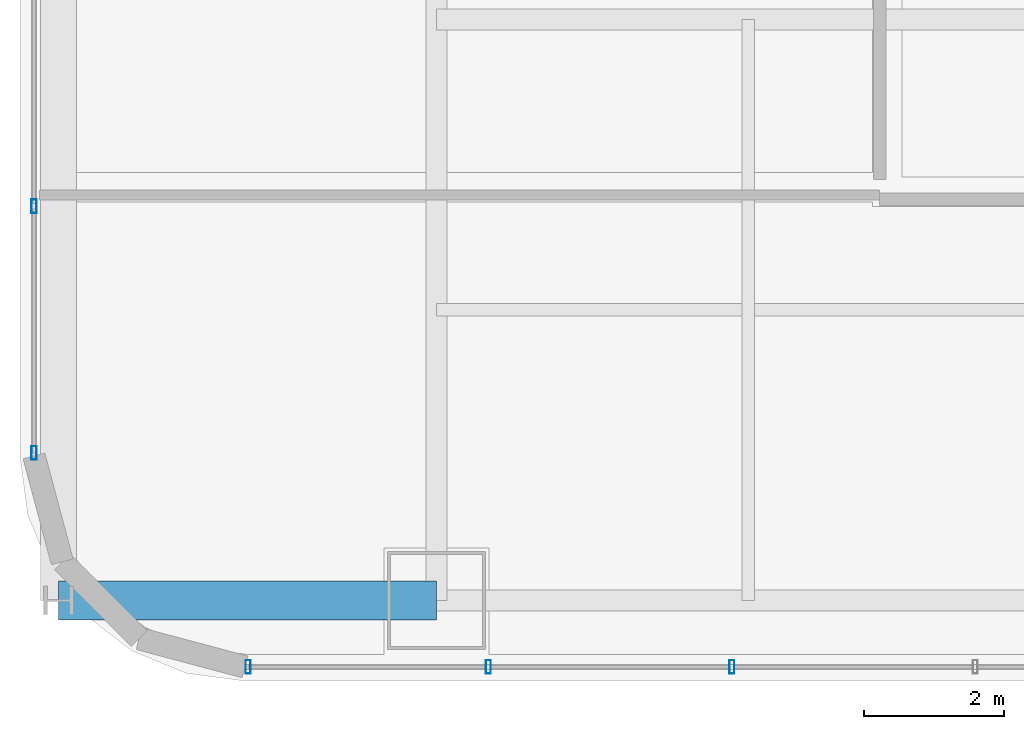
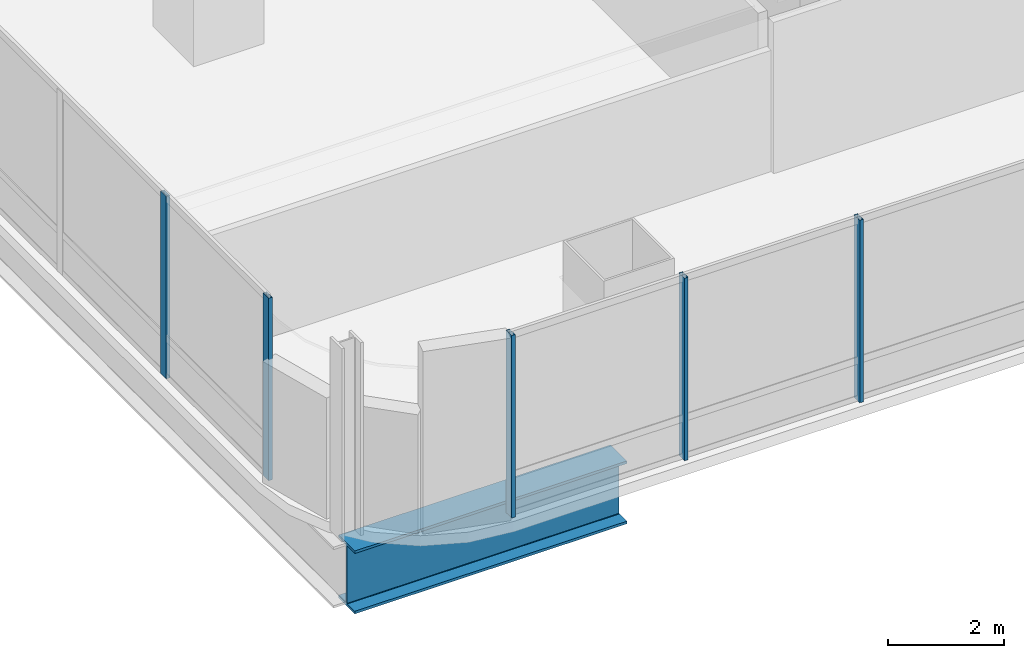
# One storey, part 2 of 38: 5 members, 1 beam, 2 elements without a shape of their own.
"""IFC4 building model written with IfcOpenShell, lengths in metres."""

from ifc_helpers import new_model, si_unit, direction, frame, origin, origin_2d, place, context, subcontext, project, spatial, hollow_rectangle, i_section, extrude, material, material_profile, profile_set, type_object, element, aggregate, save


model = new_model("IFC4")

# Units and contexts
model_context = context("Model", 3, precision=1e-05, world=origin(), true_north=direction((0.0, 1.0)))
body_context = subcontext(model_context, "Body", "Model", "MODEL_VIEW")
ifc_project = project(units=[si_unit("LENGTHUNIT", "METRE"), si_unit("AREAUNIT", "SQUARE_METRE"), si_unit("VOLUMEUNIT", "CUBIC_METRE"), si_unit("PLANEANGLEUNIT", "RADIAN"), si_unit("MASSUNIT", "GRAM", prefix="KILO")], contexts=[model_context])

# Site, building, storey
site_placement = place(None, origin())
site = spatial("IfcSite", under=ifc_project, at=site_placement, CompositionType="ELEMENT")
building_placement = place(site_placement, origin())
building = spatial("IfcBuilding", under=site, at=building_placement, Name="Punatoya Terracotta Tower", CompositionType="ELEMENT")
storey_placement = place(building_placement, frame((0.0, 0.0, 156.0)))
storey = spatial("IfcBuildingStorey", under=building, at=storey_placement, Name="L36", CompositionType="ELEMENT", Elevation=156.0)

# Beam
ifc_material_1 = material(Name="Steel S460", Category="steel")
ifc_material_profile_1 = material_profile(ifc_material_1, i_section(OverallWidth=0.56005859375, OverallDepth=1.320068359375, WebThickness=0.035888671875, FlangeThickness=0.054931640625, FilletRadius=0.01806640625, at=origin_2d()))
ifc_profile_set_1 = profile_set([ifc_material_profile_1], Name="Steel S460")
beam_type = type_object("IfcBeamType", Name="BM-TG-BLK", PredefinedType="BEAM", material=ifc_profile_set_1)
beam_placement = place(storey_placement, frame((-24.5, -17.5, -0.8798828125), z_axis=(1.0, 0.0, 0.0), x_axis=(0.0, 1.0, 0.0)))
element("IfcBeam", 1, at=beam_placement, inside=storey, type_object=beam_type, Name="BM-L36-CANT-W1", PredefinedType="BEAM", context=body_context, shape_type="SweptSolid", body=[
    extrude(i_section(OverallWidth=0.56005859375, OverallDepth=1.320068359375, WebThickness=0.035888671875, FlangeThickness=0.054931640625, FilletRadius=0.01806640625, at=origin_2d()), origin(), (0.0, 0.0, 1.0), 5.39990234375),
])

# Curtain wall, members
ifc_material_2 = material(Name="Aluminium 6063-T6 + Double Low-E Glass", Category="aluminium")
curtain_wall_type = type_object("IfcCurtainWallType", Name="CW-M2", PredefinedType="NOTDEFINED", material=ifc_material_2)
curtain_wall_1_placement = place(storey_placement, origin())
curtain_wall_1 = element("IfcCurtainWall", 2, at=curtain_wall_1_placement, inside=storey, type_object=curtain_wall_type, Name="L36 Curtain Wall CW-L36-S01-1", PredefinedType="NOTDEFINED")
ifc_material_3 = material(Name="Aluminium 6063-T6", Category="aluminium")
ifc_material_profile_2 = material_profile(ifc_material_3, hollow_rectangle(XDim=0.072021484375, YDim=0.195068359375, WallThickness=0.00439453125, at=origin_2d()))
ifc_profile_set_2 = profile_set([ifc_material_profile_2], Name="Aluminium 6063-T6")
member_type = type_object("IfcMemberType", Name="CW-MUL-M2", PredefinedType="MULLION", material=ifc_profile_set_2)
member_1_placement = place(storey_placement, frame((-21.7919921875, -18.449951171875, 0.0), z_axis=(0.0, 0.0, 1.0), x_axis=(1.0, 0.0, 0.0)))
member_1 = element("IfcMember", 3, at=member_1_placement, type_object=member_type, Name="CW-L36-S01-1 Mullion 00", PredefinedType="MULLION", context=body_context, shape_type="SweptSolid", body=[
    extrude(hollow_rectangle(XDim=0.072021484375, YDim=0.195068359375, WallThickness=0.00439453125, at=origin_2d()), origin(), (0.0, 0.0, 1.0), 3.830078125),
])
member_2_placement = place(storey_placement, frame((-18.359619140625, -18.449951171875, 0.0), z_axis=(0.0, 0.0, 1.0), x_axis=(1.0, 0.0, 0.0)))
member_2 = element("IfcMember", 4, at=member_2_placement, type_object=member_type, Name="CW-L36-S01-1 Mullion 01", PredefinedType="MULLION", context=body_context, shape_type="SweptSolid", body=[
    extrude(hollow_rectangle(XDim=0.072021484375, YDim=0.195068359375, WallThickness=0.00439453125, at=origin_2d()), origin(), (0.0, 0.0, 1.0), 3.830078125),
])
member_3_placement = place(storey_placement, frame((-14.882080078125, -18.449951171875, 0.0), z_axis=(0.0, 0.0, 1.0), x_axis=(1.0, 0.0, 0.0)))
member_3 = element("IfcMember", 5, at=member_3_placement, type_object=member_type, Name="CW-L36-S01-1 Mullion 02", PredefinedType="MULLION", context=body_context, shape_type="SweptSolid", body=[
    extrude(hollow_rectangle(XDim=0.072021484375, YDim=0.195068359375, WallThickness=0.00439453125, at=origin_2d()), origin(), (0.0, 0.0, 1.0), 3.830078125),
])
aggregate(curtain_wall_1, [member_1, member_2, member_3])

curtain_wall_2_placement = place(storey_placement, origin())
curtain_wall_2 = element("IfcCurtainWall", 6, at=curtain_wall_2_placement, inside=storey, type_object=curtain_wall_type, Name="L36 Curtain Wall CW-L36-W13-1", PredefinedType="NOTDEFINED")
member_4_placement = place(storey_placement, frame((-24.85009765625, -11.869384765625, 0.0), z_axis=(0.0, 0.0, 1.0), x_axis=(1.0, 0.0, 0.0)))
member_4 = element("IfcMember", 7, at=member_4_placement, type_object=member_type, Name="CW-L36-W13-1 Mullion 09", PredefinedType="MULLION", context=body_context, shape_type="SweptSolid", body=[
    extrude(hollow_rectangle(XDim=0.072021484375, YDim=0.195068359375, WallThickness=0.00439453125, at=origin_2d()), origin(), (0.0, 0.0, 1.0), 3.830078125),
])
member_5_placement = place(storey_placement, frame((-24.85009765625, -15.391845703125, 0.0), z_axis=(0.0, 0.0, 1.0), x_axis=(1.0, 0.0, 0.0)))
member_5 = element("IfcMember", 8, at=member_5_placement, type_object=member_type, Name="CW-L36-W13-1 Mullion 10", PredefinedType="MULLION", context=body_context, shape_type="SweptSolid", body=[
    extrude(hollow_rectangle(XDim=0.072021484375, YDim=0.195068359375, WallThickness=0.00439453125, at=origin_2d()), origin(), (0.0, 0.0, 1.0), 3.830078125),
])
aggregate(curtain_wall_2, [member_4, member_5])

save(model, "model.ifc")
